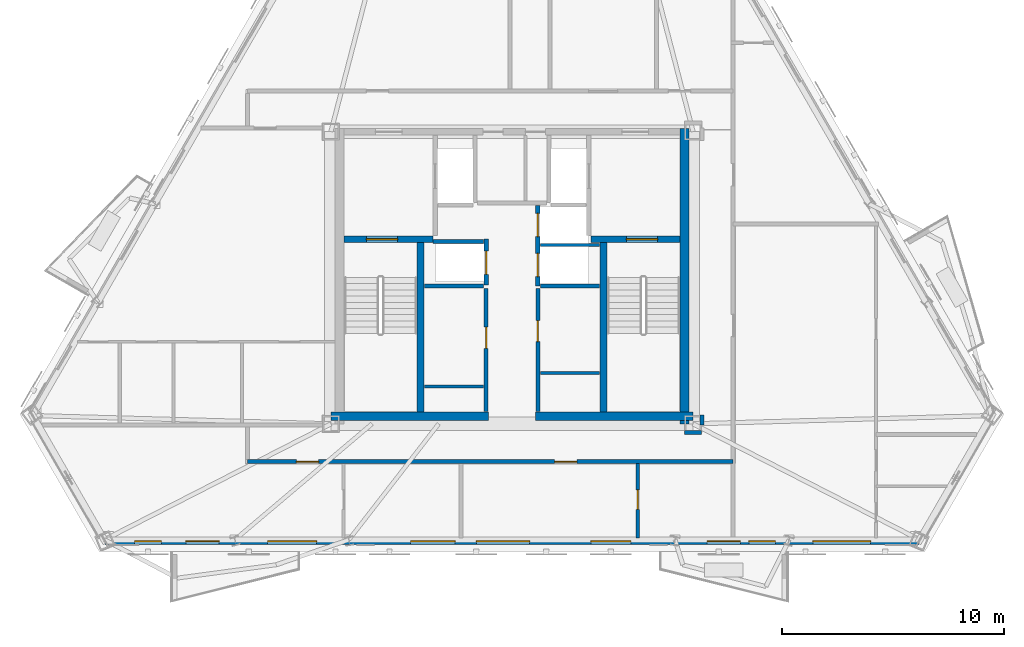
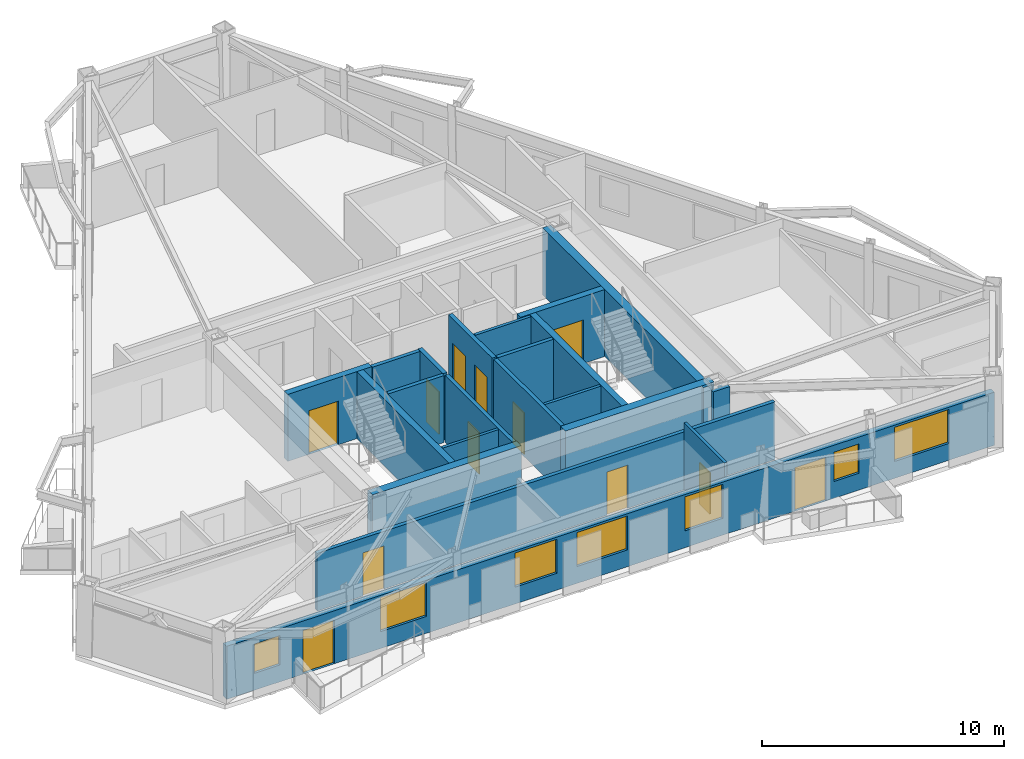
# One storey, part 3 of 9: 22 walls, 12 doors, 7 windows, 19 openings.
"""IFC4 building model written with IfcOpenShell, lengths in metres."""

import ifcopenshell
import ifcopenshell.guid

model = None  # the IFC model being written
_history = None  # IfcOwnerHistory: only IFC2X3 demands one
_inside = {}  # id of a spatial element -> (the spatial element, [elements in it])
_under = {}  # id of a project, library or spatial element -> (it, [spatial elements below it])
_declared = {}  # id of a project -> (the project, [libraries it declares])
_typed = {}  # id of a type object -> (the type object, [elements of that type])
_made_of = {}  # id of a material, layer set ... -> (it, [elements and type objects made of it])


def new_model(schema):
    """Start an empty IFC model of exactly this schema.

    Asked for "IFC4X3", IfcOpenShell would pick the latest addendum, in which some entities
    have other attributes; the version numbers below select the first issue.
    IFC2X3 requires an IfcOwnerHistory on every rooted entity: one is made here for all.
    """
    global model, _history
    if schema == "IFC4X3":
        model = ifcopenshell.file(schema_version=(4, 3, 0, 0))
    else:
        model = ifcopenshell.file(schema=schema)
    _inside.clear()
    _under.clear()
    _declared.clear()
    _typed.clear()
    _made_of.clear()
    _history = None
    if model.schema == "IFC2X3":
        org = make("IfcOrganization", Name="unknown")
        user = make(
            "IfcPersonAndOrganization",
            ThePerson=make("IfcPerson", FamilyName="unknown"),
            TheOrganization=org,
        )
        app = make(
            "IfcApplication",
            ApplicationDeveloper=org,
            Version="unknown",
            ApplicationFullName="unknown",
            ApplicationIdentifier="unknown",
        )
        _history = make(
            "IfcOwnerHistory",
            OwningUser=user,
            OwningApplication=app,
            ChangeAction="ADDED",
            CreationDate=0,
        )
    return model


def make(cls, **values):
    """One entity of the class cls with the attributes given. An attribute that is None is left unset."""
    return model.create_entity(
        cls, **{name: value for name, value in values.items() if value is not None}
    )


def rooted(cls, **values):
    """An entity with a GlobalId (a new one), such as an element, a storey or a relation."""
    return make(cls, GlobalId=ifcopenshell.guid.new(), OwnerHistory=_history, **values)


def si_unit(unit_type, name, prefix=None):
    """IfcSIUnit, for example si_unit("LENGTHUNIT", "METRE", prefix="MILLI")."""
    return make("IfcSIUnit", UnitType=unit_type, Prefix=prefix, Name=name)


def assignment(units):
    """IfcUnitAssignment: the units of a project."""
    return None if units is None else make("IfcUnitAssignment", Units=units)


def point(xyz):
    """IfcCartesianPoint."""
    return None if xyz is None else make("IfcCartesianPoint", Coordinates=xyz)


def direction(xyz):
    """IfcDirection."""
    return None if xyz is None else make("IfcDirection", DirectionRatios=xyz)


def frame(location, z_axis=None, x_axis=None):
    """IfcAxis2Placement3D, a coordinate frame: its origin and axes. An axis left out is left unset."""
    return make(
        "IfcAxis2Placement3D",
        Location=point(location),
        Axis=direction(z_axis),
        RefDirection=direction(x_axis),
    )


def frame_2d(location, x_axis=None):
    """IfcAxis2Placement2D, a coordinate frame in the plane: its origin and x axis."""
    return make(
        "IfcAxis2Placement2D", Location=point(location), RefDirection=direction(x_axis)
    )


def origin():
    """The frame at (0, 0, 0) with its axes left unset."""
    return frame((0.0, 0.0, 0.0))


def place(relative_to, where):
    """IfcLocalPlacement: puts the frame where relative to a parent placement (None: the world)."""
    return make(
        "IfcLocalPlacement", PlacementRelTo=relative_to, RelativePlacement=where
    )


def context(
    kind, dimensions, precision=None, world=None, true_north=None, identifier=None
):
    """IfcGeometricRepresentationContext, for example the 3D "Model" context."""
    return make(
        "IfcGeometricRepresentationContext",
        ContextIdentifier=identifier,
        ContextType=kind,
        CoordinateSpaceDimension=dimensions,
        Precision=precision,
        WorldCoordinateSystem=world,
        TrueNorth=true_north,
    )


def subcontext(parent, identifier, kind, view, scale=None):
    """IfcGeometricRepresentationSubContext, for example "Body" below "Model"."""
    return make(
        "IfcGeometricRepresentationSubContext",
        ContextIdentifier=identifier,
        ContextType=kind,
        ParentContext=parent,
        TargetScale=scale,
        TargetView=view,
    )


def project(units=None, contexts=None):
    """IfcProject with its units and contexts."""
    return rooted(
        "IfcProject",
        Name="project",
        RepresentationContexts=contexts,
        UnitsInContext=assignment(units),
    )


def spatial(cls, under=None, at=None, **own):
    """A site, building, storey or space (cls), placed at a placement, below another one or the project."""
    s = rooted(cls, ObjectPlacement=at, **own)
    if under is not None:
        _under.setdefault(under.id(), (under, []))[1].append(s)
    return s


def profile(cls, at=None, kind="AREA", **sizes):
    """A parametric profile (cls). Its sizes go by their IFC names, for example OverallWidth=200.0."""
    return make(cls, ProfileType=kind, Position=at, **sizes)


def rectangle(**sizes):
    """IfcRectangleProfileDef."""
    return profile("IfcRectangleProfileDef", **sizes)


def extrude(swept, where, along, depth):
    """IfcExtrudedAreaSolid: the profile swept, set in the frame where, extruded along a direction by depth."""
    return make(
        "IfcExtrudedAreaSolid",
        SweptArea=swept,
        Position=where,
        ExtrudedDirection=direction(along),
        Depth=depth,
    )


def shape(context_of_items, identifier, shape_type, items):
    """IfcShapeRepresentation: the items that make up one representation, for example the "Body"."""
    return make(
        "IfcShapeRepresentation",
        ContextOfItems=context_of_items,
        RepresentationIdentifier=identifier,
        RepresentationType=shape_type,
        Items=items,
    )


def material(Name=None, Category=None):
    """IfcMaterial."""
    return make("IfcMaterial", Name=Name, Category=Category)


def layer(
    of_material, thickness, ventilated=None, Name=None, Category=None, Priority=None
):
    """IfcMaterialLayer: one layer of a wall or slab, of a material (None: an air gap)."""
    return make(
        "IfcMaterialLayer",
        Material=of_material,
        LayerThickness=thickness,
        IsVentilated=ventilated,
        Name=Name,
        Category=Category,
        Priority=Priority,
    )


def layer_set(layers, Name=None):
    """IfcMaterialLayerSet."""
    return make("IfcMaterialLayerSet", MaterialLayers=layers, LayerSetName=Name)


def made_of(thing, what):
    """Note that an element or type object is made of a material, layer set ...; save() writes the relation."""
    if what is not None:
        _made_of.setdefault(what.id(), (what, []))[1].append(thing)
    return thing


def type_object(cls, material=None, **own):
    """A type object (cls), such as IfcWallType, which elements share."""
    return made_of(rooted(cls, **own), material)


def element(
    cls,
    number,
    at=None,
    inside=None,
    cuts=None,
    type_object=None,
    material=None,
    context=None,
    identifier="Body",
    shape_type=None,
    held_by="IfcProductDefinitionShape",
    body=None,
    shapes=None,
    **own,
):
    """One element of the class cls, such as IfcWall. Its Tag is "e" and its number.

    at: its placement. inside: the storey or other place that contains it. cuts: it is an
    opening in that element (IfcRelVoidsElement). A single representation is given by context,
    identifier, shape_type and body (its items); several are given by shapes. held_by: the class
    of the entity that holds the representations. save() writes the other relations.
    """
    e = rooted(cls, Tag="e%d" % number, ObjectPlacement=at, **own)
    if body is not None:
        shapes = [shape(context, identifier, shape_type, body)]
    if shapes is not None:
        e.Representation = make(held_by, Representations=shapes)
    if inside is not None:
        _inside.setdefault(inside.id(), (inside, []))[1].append(e)
    if cuts is not None:
        rooted(
            "IfcRelVoidsElement", RelatingBuildingElement=cuts, RelatedOpeningElement=e
        )
    if type_object is not None:
        _typed.setdefault(type_object.id(), (type_object, []))[1].append(e)
    return made_of(e, material)


def fill(opening, filler):
    """IfcRelFillsElement: the door or window that sits in an opening."""
    return rooted(
        "IfcRelFillsElement",
        RelatingOpeningElement=opening,
        RelatedBuildingElement=filler,
    )


def aggregate(whole, parts):
    """IfcRelAggregates: a whole, such as a stair, and the parts it consists of."""
    return rooted("IfcRelAggregates", RelatingObject=whole, RelatedObjects=parts)


def save(model, path):
    """Write the relations noted so far, then the file.

    IfcRelAggregates (storeys below a building ...), IfcRelContainedInSpatialStructure (elements
    in a storey), IfcRelDefinesByType, IfcRelAssociatesMaterial and IfcRelDeclares: one each for
    every whole, place, type object, material and project.
    """
    for whole, parts in _under.values():
        aggregate(whole, parts)
    for where, things in _inside.values():
        rooted(
            "IfcRelContainedInSpatialStructure",
            RelatedElements=things,
            RelatingStructure=where,
        )
    for kind, things in _typed.values():
        rooted("IfcRelDefinesByType", RelatedObjects=things, RelatingType=kind)
    for what, things in _made_of.values():
        rooted("IfcRelAssociatesMaterial", RelatedObjects=things, RelatingMaterial=what)
    for by, libraries in _declared.values():
        rooted("IfcRelDeclares", RelatingContext=by, RelatedDefinitions=libraries)
    model.write(path)


model = new_model("IFC4")

# Units and contexts
model_context = context("Model", 3, precision=1e-05, world=origin(), true_north=direction((0.0, 1.0)))
body_context = subcontext(model_context, "Body", "Model", "MODEL_VIEW")
ifc_project = project(units=[si_unit("LENGTHUNIT", "METRE"), si_unit("AREAUNIT", "SQUARE_METRE"), si_unit("VOLUMEUNIT", "CUBIC_METRE"), si_unit("PLANEANGLEUNIT", "RADIAN"), si_unit("MASSUNIT", "GRAM", prefix="KILO")], contexts=[model_context])

# Site, building, storey
site_placement = place(None, origin())
site = spatial("IfcSite", under=ifc_project, at=site_placement, CompositionType="ELEMENT")
building_placement = place(site_placement, origin())
building = spatial("IfcBuilding", under=site, at=building_placement, Name="Oramaril Tower", CompositionType="ELEMENT")
storey_placement = place(building_placement, frame((0.0, 0.0, 219.89990234375)))
storey = spatial("IfcBuildingStorey", under=building, at=storey_placement, Name="L58", CompositionType="ELEMENT", Elevation=219.89990234375)

# Wall, openings, doors, windows
ifc_material_1 = material(Name="Warm Cream Limestone", Category="masonry")
ifc_layer_1 = layer(ifc_material_1, 0.2900390625)
ifc_layer_set_1 = layer_set([ifc_layer_1], Name="WT-EXT29")
wall_type_1 = type_object("IfcWallType", Name="WT-EXT29", PredefinedType="SOLIDWALL", material=ifc_layer_set_1)
wall_1_placement = place(storey_placement, frame((19.18310546875, 5.718017578125, 0.0), z_axis=(0.0, 0.0, 1.0), x_axis=(1.0, 0.0, 0.0)))
wall_1 = element("IfcWall", 1, at=wall_1_placement, inside=storey, type_object=wall_type_1, Name="L58 Tower Limestone Facade Wall 2M", PredefinedType="SOLIDWALL", context=body_context, shape_type="SweptSolid", body=[
    extrude(rectangle(XDim=36.6337890625, YDim=0.2900390625, at=frame_2d((18.31689453125, 0.0))), origin(), (0.0, 0.0, 1.0), 2.677001953125),
])
opening_1_placement = place(wall_1_placement, frame((3.639404296875, 0.0, 0.0)))
opening_1 = element("IfcOpeningElement", 2, at=opening_1_placement, cuts=wall_1, Name="Opening D-L58-BAL-S1", PredefinedType="OPENING", context=body_context, shape_type="SweptSolid", body=[
    extrude(rectangle(XDim=1.5, YDim=2.199951171875, at=frame_2d((0.75, 1.10009765625))), frame((0.0, 0.14501953125, 0.0), z_axis=(0.0, -1.0, 0.0), x_axis=(1.0, 0.0, 0.0)), (0.0, 0.0, 1.0), 0.2900390625),
])
opening_2_placement = place(wall_1_placement, frame((27.09912109375, 0.0, 0.0)))
opening_2 = element("IfcOpeningElement", 3, at=opening_2_placement, cuts=wall_1, Name="Opening D-L58-BAL-S2", PredefinedType="OPENING", context=body_context, shape_type="SweptSolid", body=[
    extrude(rectangle(XDim=1.5, YDim=2.199951171875, at=frame_2d((0.75, 1.10009765625))), frame((0.0, 0.14501953125, 0.0), z_axis=(0.0, -1.0, 0.0), x_axis=(1.0, 0.0, 0.0)), (0.0, 0.0, 1.0), 0.2900390625),
])
opening_3_placement = place(wall_1_placement, frame((1.333740234375, 0.0, 0.85009765625)))
opening_3 = element("IfcOpeningElement", 4, at=opening_3_placement, cuts=wall_1, Name="Opening WN-09", PredefinedType="OPENING", context=body_context, shape_type="SweptSolid", body=[
    extrude(rectangle(XDim=1.199951171875, YDim=1.47998046875, at=frame_2d((0.60009765625, 0.739990234375))), frame((0.0, 0.14501953125, 0.0), z_axis=(0.0, -1.0, 0.0), x_axis=(1.0, 0.0, 0.0)), (0.0, 0.0, 1.0), 0.2900390625),
])
opening_4_placement = place(wall_1_placement, frame((7.322998046875, 0.0, 0.85009765625)))
opening_4 = element("IfcOpeningElement", 5, at=opening_4_placement, cuts=wall_1, Name="Opening WN-04", PredefinedType="OPENING", context=body_context, shape_type="SweptSolid", body=[
    extrude(rectangle(XDim=2.199951171875, YDim=1.717041015625, at=frame_2d((1.10009765625, 0.8583984375))), frame((0.0, 0.14501953125, 0.0), z_axis=(0.0, -1.0, 0.0), x_axis=(1.0, 0.0, 0.0)), (0.0, 0.0, 1.0), 0.2900390625),
])
opening_5_placement = place(wall_1_placement, frame((13.755126953125, 0.0, 0.85009765625)))
opening_5 = element("IfcOpeningElement", 6, at=opening_5_placement, cuts=wall_1, Name="Opening WN-05", PredefinedType="OPENING", context=body_context, shape_type="SweptSolid", body=[
    extrude(rectangle(XDim=2.0, YDim=1.717041015625, at=frame_2d((1.0, 0.8583984375))), frame((0.0, 0.14501953125, 0.0), z_axis=(0.0, -1.0, 0.0), x_axis=(1.0, 0.0, 0.0)), (0.0, 0.0, 1.0), 0.2900390625),
])
opening_6_placement = place(wall_1_placement, frame((16.714599609375, 0.0, 0.85009765625)))
opening_6 = element("IfcOpeningElement", 7, at=opening_6_placement, cuts=wall_1, Name="Opening WN-03", PredefinedType="OPENING", context=body_context, shape_type="SweptSolid", body=[
    extrude(rectangle(XDim=2.39990234375, YDim=1.717041015625, at=frame_2d((1.199951171875, 0.8583984375))), frame((0.0, 0.14501953125, 0.0), z_axis=(0.0, -1.0, 0.0), x_axis=(1.0, 0.0, 0.0)), (0.0, 0.0, 1.0), 0.2900390625),
])
opening_7_placement = place(wall_1_placement, frame((21.86474609375, 0.0, 0.85009765625)))
opening_7 = element("IfcOpeningElement", 8, at=opening_7_placement, cuts=wall_1, Name="Opening WN-06", PredefinedType="OPENING", context=body_context, shape_type="SweptSolid", body=[
    extrude(rectangle(XDim=1.800048828125, YDim=1.717041015625, at=frame_2d((0.89990234375, 0.8583984375))), frame((0.0, 0.14501953125, 0.0), z_axis=(0.0, -1.0, 0.0), x_axis=(1.0, 0.0, 0.0)), (0.0, 0.0, 1.0), 0.2900390625),
])
opening_8_placement = place(wall_1_placement, frame((28.974853515625, 0.0, 0.85009765625)))
opening_8 = element("IfcOpeningElement", 9, at=opening_8_placement, cuts=wall_1, Name="Opening WN-09", PredefinedType="OPENING", context=body_context, shape_type="SweptSolid", body=[
    extrude(rectangle(XDim=1.199951171875, YDim=1.47998046875, at=frame_2d((0.60009765625, 0.739990234375))), frame((0.0, 0.14501953125, 0.0), z_axis=(0.0, -1.0, 0.0), x_axis=(1.0, 0.0, 0.0)), (0.0, 0.0, 1.0), 0.2900390625),
])
opening_9_placement = place(wall_1_placement, frame((31.861083984375, 0.0, 0.85009765625)))
opening_9 = element("IfcOpeningElement", 10, at=opening_9_placement, cuts=wall_1, Name="Opening WN-02", PredefinedType="OPENING", context=body_context, shape_type="SweptSolid", body=[
    extrude(rectangle(XDim=2.60009765625, YDim=1.717041015625, at=frame_2d((1.300048828125, 0.8583984375))), frame((0.0, 0.14501953125, 0.0), z_axis=(0.0, -1.0, 0.0), x_axis=(1.0, 0.0, 0.0)), (0.0, 0.0, 1.0), 0.2900390625),
])
ifc_material_2 = material(Name="Anodised Aluminium 6063-T6", Category="aluminium")
door_type_1 = type_object("IfcDoorType", Name="DT-BAL", OperationType="NOTDEFINED", PredefinedType="DOOR", material=ifc_material_2)
door_1_placement = place(opening_1_placement, origin())
door_1 = element("IfcDoor", 11, at=door_1_placement, inside=storey, type_object=door_type_1, Name="L58 Balcony Glazed Door L58-BAL-S1", OperationType="SINGLE_SWING_LEFT", OverallHeight=2.199951171875, OverallWidth=1.5, PredefinedType="DOOR", context=body_context, shape_type="SweptSolid", body=[
    extrude(rectangle(XDim=1.5, YDim=2.199951171875, at=frame_2d((0.75, 1.10009765625))), frame((0.0, 0.02490234375, 0.0), z_axis=(0.0, -1.0, 0.0), x_axis=(1.0, 0.0, 0.0)), (0.0, 0.0, 1.0), 0.050048828125),
])
fill(opening_1, door_1)
door_2_placement = place(opening_2_placement, origin())
door_2 = element("IfcDoor", 12, at=door_2_placement, inside=storey, type_object=door_type_1, Name="L58 Balcony Glazed Door L58-BAL-S2", OperationType="SINGLE_SWING_RIGHT", OverallHeight=2.199951171875, OverallWidth=1.5, PredefinedType="DOOR", context=body_context, shape_type="SweptSolid", body=[
    extrude(rectangle(XDim=1.5, YDim=2.199951171875, at=frame_2d((0.75, 1.10009765625))), frame((0.0, 0.02490234375, 0.0), z_axis=(0.0, -1.0, 0.0), x_axis=(1.0, 0.0, 0.0)), (0.0, 0.0, 1.0), 0.050048828125),
])
fill(opening_2, door_2)
ifc_material_3 = material(Name="Coastal Low-E Insulated Glass", Category="glass")
window_type_1 = type_object("IfcWindowType", Name="WNT-02", PartitioningType="SINGLE_PANEL", PredefinedType="WINDOW", material=ifc_material_3)
window_1_placement = place(opening_9_placement, origin())
window_1 = element("IfcWindow", 13, at=window_1_placement, inside=storey, type_object=window_type_1, Name="L58 Chicago Bay Window WN-02", OverallHeight=1.717041015625, OverallWidth=2.60009765625, PartitioningType="SINGLE_PANEL", PredefinedType="WINDOW", context=body_context, shape_type="SweptSolid", body=[
    extrude(rectangle(XDim=2.60009765625, YDim=1.717041015625, at=frame_2d((1.300048828125, 0.8583984375))), frame((0.0, 0.030029296875, 0.0), z_axis=(0.0, -1.0, 0.0), x_axis=(1.0, 0.0, 0.0)), (0.0, 0.0, 1.0), 0.06005859375),
])
fill(opening_9, window_1)
ifc_material_4 = material(Name="Coastal Low-E Insulated Glass", Category="glass")
window_type_2 = type_object("IfcWindowType", Name="WNT-03", PartitioningType="SINGLE_PANEL", PredefinedType="WINDOW", material=ifc_material_4)
window_2_placement = place(opening_6_placement, origin())
window_2 = element("IfcWindow", 14, at=window_2_placement, inside=storey, type_object=window_type_2, Name="L58 Chicago Bay Window WN-03", OverallHeight=1.717041015625, OverallWidth=2.39990234375, PartitioningType="SINGLE_PANEL", PredefinedType="WINDOW", context=body_context, shape_type="SweptSolid", body=[
    extrude(rectangle(XDim=2.39990234375, YDim=1.717041015625, at=frame_2d((1.199951171875, 0.8583984375))), frame((0.0, 0.030029296875, 0.0), z_axis=(0.0, -1.0, 0.0), x_axis=(1.0, 0.0, 0.0)), (0.0, 0.0, 1.0), 0.06005859375),
])
fill(opening_6, window_2)
ifc_material_5 = material(Name="Coastal Low-E Insulated Glass", Category="glass")
window_type_3 = type_object("IfcWindowType", Name="WNT-04", PartitioningType="SINGLE_PANEL", PredefinedType="WINDOW", material=ifc_material_5)
window_3_placement = place(opening_4_placement, origin())
window_3 = element("IfcWindow", 15, at=window_3_placement, inside=storey, type_object=window_type_3, Name="L58 Chicago Bay Window WN-04", OverallHeight=1.717041015625, OverallWidth=2.199951171875, PartitioningType="SINGLE_PANEL", PredefinedType="WINDOW", context=body_context, shape_type="SweptSolid", body=[
    extrude(rectangle(XDim=2.199951171875, YDim=1.717041015625, at=frame_2d((1.10009765625, 0.8583984375))), frame((0.0, 0.030029296875, 0.0), z_axis=(0.0, -1.0, 0.0), x_axis=(1.0, 0.0, 0.0)), (0.0, 0.0, 1.0), 0.06005859375),
])
fill(opening_4, window_3)
ifc_material_6 = material(Name="Coastal Low-E Insulated Glass", Category="glass")
window_type_4 = type_object("IfcWindowType", Name="WNT-05", PartitioningType="SINGLE_PANEL", PredefinedType="WINDOW", material=ifc_material_6)
window_4_placement = place(opening_5_placement, origin())
window_4 = element("IfcWindow", 16, at=window_4_placement, inside=storey, type_object=window_type_4, Name="L58 Chicago Bay Window WN-05", OverallHeight=1.717041015625, OverallWidth=2.0, PartitioningType="SINGLE_PANEL", PredefinedType="WINDOW", context=body_context, shape_type="SweptSolid", body=[
    extrude(rectangle(XDim=2.0, YDim=1.717041015625, at=frame_2d((1.0, 0.8583984375))), frame((0.0, 0.030029296875, 0.0), z_axis=(0.0, -1.0, 0.0), x_axis=(1.0, 0.0, 0.0)), (0.0, 0.0, 1.0), 0.06005859375),
])
fill(opening_5, window_4)
ifc_material_7 = material(Name="Coastal Low-E Insulated Glass", Category="glass")
window_type_5 = type_object("IfcWindowType", Name="WNT-06", PartitioningType="SINGLE_PANEL", PredefinedType="WINDOW", material=ifc_material_7)
window_5_placement = place(opening_7_placement, origin())
window_5 = element("IfcWindow", 17, at=window_5_placement, inside=storey, type_object=window_type_5, Name="L58 Chicago Bay Window WN-06", OverallHeight=1.717041015625, OverallWidth=1.800048828125, PartitioningType="SINGLE_PANEL", PredefinedType="WINDOW", context=body_context, shape_type="SweptSolid", body=[
    extrude(rectangle(XDim=1.800048828125, YDim=1.717041015625, at=frame_2d((0.89990234375, 0.8583984375))), frame((0.0, 0.030029296875, 0.0), z_axis=(0.0, -1.0, 0.0), x_axis=(1.0, 0.0, 0.0)), (0.0, 0.0, 1.0), 0.06005859375),
])
fill(opening_7, window_5)
ifc_material_8 = material(Name="Coastal Low-E Insulated Glass", Category="glass")
window_type_6 = type_object("IfcWindowType", Name="WNT-09", PartitioningType="SINGLE_PANEL", PredefinedType="WINDOW", material=ifc_material_8)
window_6_placement = place(opening_3_placement, origin())
window_6 = element("IfcWindow", 18, at=window_6_placement, inside=storey, type_object=window_type_6, Name="L58 Chicago Bay Window WN-09", OverallHeight=1.47998046875, OverallWidth=1.199951171875, PartitioningType="SINGLE_PANEL", PredefinedType="WINDOW", context=body_context, shape_type="SweptSolid", body=[
    extrude(rectangle(XDim=1.199951171875, YDim=1.47998046875, at=frame_2d((0.60009765625, 0.739990234375))), frame((0.0, 0.030029296875, 0.0), z_axis=(0.0, -1.0, 0.0), x_axis=(1.0, 0.0, 0.0)), (0.0, 0.0, 1.0), 0.06005859375),
])
fill(opening_3, window_6)
window_7_placement = place(opening_8_placement, origin())
window_7 = element("IfcWindow", 19, at=window_7_placement, inside=storey, type_object=window_type_6, Name="L58 Chicago Bay Window WN-09", OverallHeight=1.47998046875, OverallWidth=1.199951171875, PartitioningType="SINGLE_PANEL", PredefinedType="WINDOW", context=body_context, shape_type="SweptSolid", body=[
    extrude(rectangle(XDim=1.199951171875, YDim=1.47998046875, at=frame_2d((0.60009765625, 0.739990234375))), frame((0.0, 0.030029296875, 0.0), z_axis=(0.0, -1.0, 0.0), x_axis=(1.0, 0.0, 0.0)), (0.0, 0.0, 1.0), 0.06005859375),
])
fill(opening_8, window_7)

# Walls
ifc_material_9 = material(Name="Acoustic Gypsum Board Partition")
ifc_layer_2 = layer(ifc_material_9, 0.139892578125)
ifc_layer_set_2 = layer_set([ifc_layer_2], Name="WT-PT14")
wall_type_2 = type_object("IfcWallType", Name="WT-PT14", PredefinedType="PARTITIONING", material=ifc_layer_set_2)
for number, where, z_axis, x_axis, name in (
    (20, (33.56005859375, 12.679931640625, 0.0), (0.0, 0.0, 1.0), (1.0, 0.0, 0.0), "L58 Freed Shaft South Closure"),
    (21, (38.780029296875, 19.050048828125, 0.0), (0.0, 0.0, 1.0), (1.0, 0.0, 0.0), "L58 High-Rise Lift H2-H3 Divider"),
    (22, (38.780029296875, 13.280029296875, 0.0), (0.0, 0.0, 1.0), (1.0, 0.0, 0.0), "L58 Freed Shaft South Closure"),
):
    element("IfcWall", number, at=place(storey_placement, frame(where, z_axis=z_axis, x_axis=x_axis)), inside=storey, type_object=wall_type_2, Name=name, PredefinedType="PARTITIONING", context=body_context, shape_type="SweptSolid", body=[
        extrude(rectangle(XDim=2.659912109375, YDim=0.139892578125, at=frame_2d((1.330078125, 0.0))), origin(), (0.0, 0.0, 1.0), 3.380126953125),
    ])

# Wall, opening, door
wall_2_placement = place(storey_placement, frame((43.159912109375, 5.8671875, 0.0), z_axis=(0.0, 0.0, 1.0), x_axis=(0.0, 1.0, 0.0)))
wall_2 = element("IfcWall", 23, at=wall_2_placement, inside=storey, type_object=wall_type_2, Name="L58 Interior Partition PT-14", PredefinedType="PARTITIONING", context=body_context, shape_type="SweptSolid", body=[
    extrude(rectangle(XDim=3.3388671875, YDim=0.139892578125, at=frame_2d((1.66943359375, 0.0))), origin(), (0.0, 0.0, 1.0), 3.380126953125),
])
opening_10_placement = place(wall_2_placement, frame((1.27685546875, 0.0, 0.0)))
opening_10 = element("IfcOpeningElement", 24, at=opening_10_placement, cuts=wall_2, Name="Opening D-L58-15", PredefinedType="OPENING", context=body_context, shape_type="SweptSolid", body=[
    extrude(rectangle(XDim=0.8798828125, YDim=2.080078125, at=frame_2d((0.43994140625, 1.0400390625))), frame((0.0, 0.06982421875, 0.0), z_axis=(0.0, -1.0, 0.0), x_axis=(1.0, 0.0, 0.0)), (0.0, 0.0, 1.0), 0.139892578125),
])
ifc_material_10 = material(Name="FSC Brazilian Freijo Hardwood", Category="wood")
door_type_2 = type_object("IfcDoorType", Name="DT-BATH", OperationType="NOTDEFINED", PredefinedType="DOOR", material=ifc_material_10)
door_3_placement = place(opening_10_placement, origin())
door_3 = element("IfcDoor", 25, at=door_3_placement, inside=storey, type_object=door_type_2, Name="L58 Flat L58-U2 Bathroom Door D-L58-15", OperationType="SINGLE_SWING_LEFT", OverallHeight=2.080078125, OverallWidth=0.8798828125, PredefinedType="DOOR", context=body_context, shape_type="SweptSolid", body=[
    extrude(rectangle(XDim=0.8798828125, YDim=2.080078125, at=frame_2d((0.43994140625, 1.0400390625))), frame((0.0, 0.02490234375, 0.0), z_axis=(0.0, -1.0, 0.0), x_axis=(1.0, 0.0, 0.0)), (0.0, 0.0, 1.0), 0.050048828125),
])
fill(opening_10, door_3)

# Walls
ifc_material_11 = material(Name="Autoclaved Cellular Concrete Block", Category="concrete")
ifc_layer_3 = layer(ifc_material_11, 0.179931640625)
ifc_layer_set_3 = layer_set([ifc_layer_3], Name="WT-PT18")
wall_type_3 = type_object("IfcWallType", Name="WT-PT18", PredefinedType="PARTITIONING", material=ifc_layer_set_3)
wall_3_placement = place(storey_placement, frame((33.949951171875, 19.199951171875, 0.0), z_axis=(0.0, 0.0, 1.0), x_axis=(1.0, 0.0, 0.0)))
element("IfcWall", 26, at=wall_3_placement, inside=storey, type_object=wall_type_3, Name="L58 High-Rise Lift H1 North Shaft Wall", PredefinedType="PARTITIONING", context=body_context, shape_type="SweptSolid", body=[
    extrude(rectangle(XDim=2.27001953125, YDim=0.179931640625, at=frame_2d((1.135009765625, 0.0))), origin(), (0.0, 0.0, 1.0), 3.380126953125),
])
wall_4_placement = place(storey_placement, frame((33.56005859375, 17.199951171875, 0.0), z_axis=(0.0, 0.0, 1.0), x_axis=(1.0, 0.0, 0.0)))
element("IfcWall", 27, at=wall_4_placement, inside=storey, type_object=wall_type_3, Name="L58 High-Rise Lift H1 South Wall", PredefinedType="PARTITIONING", context=body_context, shape_type="SweptSolid", body=[
    extrude(rectangle(XDim=2.659912109375, YDim=0.179931640625, at=frame_2d((1.330078125, 0.0))), origin(), (0.0, 0.0, 1.0), 3.380126953125),
])

# Wall, opening, door
wall_5_placement = place(storey_placement, frame((36.340087890625, 11.550048828125, 0.0), z_axis=(0.0, 0.0, 1.0), x_axis=(0.0, 1.0, 0.0)))
wall_5 = element("IfcWall", 28, at=wall_5_placement, inside=storey, type_object=wall_type_3, Name="L58 Freed Shaft Study East Wall", PredefinedType="PARTITIONING", context=body_context, shape_type="SweptSolid", body=[
    extrude(rectangle(XDim=5.550048828125, YDim=0.179931640625, at=frame_2d((2.77490234375, 0.0))), origin(), (0.0, 0.0, 1.0), 3.380126953125),
])
opening_11_placement = place(wall_5_placement, frame((2.85009765625, 0.0, 0.0)))
opening_11 = element("IfcOpeningElement", 29, at=opening_11_placement, cuts=wall_5, Name="Opening D-L58-FL1", PredefinedType="OPENING", context=body_context, shape_type="SweptSolid", body=[
    extrude(rectangle(XDim=0.949951171875, YDim=2.10009765625, at=frame_2d((0.47509765625, 1.050048828125))), frame((0.0, 0.08984375, 0.0), z_axis=(0.0, -1.0, 0.0), x_axis=(1.0, 0.0, 0.0)), (0.0, 0.0, 1.0), 0.179931640625),
])
ifc_material_12 = material(Name="FSC Brazilian Freijo Hardwood", Category="wood")
door_type_3 = type_object("IfcDoorType", Name="DT-STDY", OperationType="NOTDEFINED", PredefinedType="DOOR", material=ifc_material_12)
door_4_placement = place(opening_11_placement, origin())
door_4 = element("IfcDoor", 30, at=door_4_placement, inside=storey, type_object=door_type_3, Name="L58 L58 Residents Library Study Door", OperationType="SINGLE_SWING_LEFT", OverallHeight=2.10009765625, OverallWidth=0.949951171875, PredefinedType="DOOR", context=body_context, shape_type="SweptSolid", body=[
    extrude(rectangle(XDim=0.949951171875, YDim=2.10009765625, at=frame_2d((0.47509765625, 1.050048828125))), frame((0.0, 0.02490234375, 0.0), z_axis=(0.0, -1.0, 0.0), x_axis=(1.0, 0.0, 0.0)), (0.0, 0.0, 1.0), 0.050048828125),
])
fill(opening_11, door_4)

# Wall
wall_6_placement = place(storey_placement, frame((38.780029296875, 17.199951171875, 0.0), z_axis=(0.0, 0.0, 1.0), x_axis=(1.0, 0.0, 0.0)))
element("IfcWall", 31, at=wall_6_placement, inside=storey, type_object=wall_type_3, Name="L58 High-Rise Lift H2 South Wall", PredefinedType="PARTITIONING", context=body_context, shape_type="SweptSolid", body=[
    extrude(rectangle(XDim=2.659912109375, YDim=0.179931640625, at=frame_2d((1.330078125, 0.0))), origin(), (0.0, 0.0, 1.0), 3.380126953125),
])

# Wall, opening, door
wall_7_placement = place(storey_placement, frame((38.659912109375, 11.550048828125, 0.0), z_axis=(0.0, 0.0, 1.0), x_axis=(0.0, 1.0, 0.0)))
wall_7 = element("IfcWall", 32, at=wall_7_placement, inside=storey, type_object=wall_type_3, Name="L58 Freed Shaft Alcove West Wall", PredefinedType="PARTITIONING", context=body_context, shape_type="SweptSolid", body=[
    extrude(rectangle(XDim=5.550048828125, YDim=0.179931640625, at=frame_2d((2.77490234375, 0.0))), origin(), (0.0, 0.0, 1.0), 3.380126953125),
])
opening_12_placement = place(wall_7_placement, frame((3.14990234375, 0.0, 0.0)))
opening_12 = element("IfcOpeningElement", 33, at=opening_12_placement, cuts=wall_7, Name="Opening D-L58-FM1", PredefinedType="OPENING", context=body_context, shape_type="SweptSolid", body=[
    extrude(rectangle(XDim=0.949951171875, YDim=2.10009765625, at=frame_2d((0.47509765625, 1.050048828125))), frame((0.0, 0.08984375, 0.0), z_axis=(0.0, -1.0, 0.0), x_axis=(1.0, 0.0, 0.0)), (0.0, 0.0, 1.0), 0.179931640625),
])
door_5_placement = place(opening_12_placement, origin())
door_5 = element("IfcDoor", 34, at=door_5_placement, inside=storey, type_object=door_type_3, Name="L58 L58 Sky Consulting Office Door", OperationType="SINGLE_SWING_RIGHT", OverallHeight=2.10009765625, OverallWidth=0.949951171875, PredefinedType="DOOR", context=body_context, shape_type="SweptSolid", body=[
    extrude(rectangle(XDim=0.949951171875, YDim=2.10009765625, at=frame_2d((0.47509765625, 1.050048828125))), frame((0.0, 0.02490234375, 0.0), z_axis=(0.0, -1.0, 0.0), x_axis=(1.0, 0.0, 0.0)), (0.0, 0.0, 1.0), 0.050048828125),
])
fill(opening_12, door_5)

# Wall, openings, doors
wall_8_placement = place(storey_placement, frame((25.60009765625, 9.300048828125, 0.0), z_axis=(0.0, 0.0, 1.0), x_axis=(1.0, 0.0, 0.0)))
wall_8 = element("IfcWall", 35, at=wall_8_placement, inside=storey, type_object=wall_type_3, Name="L58 Interior Partition PT-18", PredefinedType="PARTITIONING", context=body_context, shape_type="SweptSolid", body=[
    extrude(rectangle(XDim=21.849853515625, YDim=0.179931640625, at=frame_2d((10.9248046875, 0.0))), origin(), (0.0, 0.0, 1.0), 2.9130859375),
])
opening_13_placement = place(wall_8_placement, frame((2.193359375, 0.0, 0.0)))
opening_13 = element("IfcOpeningElement", 36, at=opening_13_placement, cuts=wall_8, Name="Opening D-L58-01", PredefinedType="OPENING", context=body_context, shape_type="SweptSolid", body=[
    extrude(rectangle(XDim=1.0, YDim=2.179931640625, at=frame_2d((0.5, 1.08984375))), frame((0.0, 0.08984375, 0.0), z_axis=(0.0, -1.0, 0.0), x_axis=(1.0, 0.0, 0.0)), (0.0, 0.0, 1.0), 0.179931640625),
])
opening_14_placement = place(wall_8_placement, frame((13.816650390625, 0.0, 0.0)))
opening_14 = element("IfcOpeningElement", 37, at=opening_14_placement, cuts=wall_8, Name="Opening D-L58-02", PredefinedType="OPENING", context=body_context, shape_type="SweptSolid", body=[
    extrude(rectangle(XDim=1.0, YDim=2.179931640625, at=frame_2d((0.5, 1.08984375))), frame((0.0, 0.08984375, 0.0), z_axis=(0.0, -1.0, 0.0), x_axis=(1.0, 0.0, 0.0)), (0.0, 0.0, 1.0), 0.179931640625),
])
ifc_material_13 = material(Name="FSC Brazilian Freijo Hardwood", Category="wood")
door_type_4 = type_object("IfcDoorType", Name="DT-APT", OperationType="NOTDEFINED", PredefinedType="DOOR", material=ifc_material_13)
door_6_placement = place(opening_13_placement, origin())
door_6 = element("IfcDoor", 38, at=door_6_placement, inside=storey, type_object=door_type_4, Name="L58 Flat L58-U1 Kitchen and Studio Apartment Door D-L58-01", OperationType="SINGLE_SWING_LEFT", OverallHeight=2.179931640625, OverallWidth=1.0, PredefinedType="DOOR", context=body_context, shape_type="SweptSolid", body=[
    extrude(rectangle(XDim=1.0, YDim=2.179931640625, at=frame_2d((0.5, 1.08984375))), frame((0.0, 0.02490234375, 0.0), z_axis=(0.0, -1.0, 0.0), x_axis=(1.0, 0.0, 0.0)), (0.0, 0.0, 1.0), 0.050048828125),
])
fill(opening_13, door_6)
door_7_placement = place(opening_14_placement, origin())
door_7 = element("IfcDoor", 39, at=door_7_placement, inside=storey, type_object=door_type_4, Name="L58 Flat L58-U2 Kitchen and Studio Apartment Door D-L58-02", OperationType="SINGLE_SWING_RIGHT", OverallHeight=2.179931640625, OverallWidth=1.0, PredefinedType="DOOR", context=body_context, shape_type="SweptSolid", body=[
    extrude(rectangle(XDim=1.0, YDim=2.179931640625, at=frame_2d((0.5, 1.08984375))), frame((0.0, 0.02490234375, 0.0), z_axis=(0.0, -1.0, 0.0), x_axis=(1.0, 0.0, 0.0)), (0.0, 0.0, 1.0), 0.050048828125),
])
fill(opening_14, door_7)

# Walls
wall_9_placement = place(storey_placement, frame((45.260009765625, 10.610107421875, 0.0), z_axis=(0.0, 0.0, 1.0), x_axis=(1.0, 0.0, 0.0)))
element("IfcWall", 40, at=wall_9_placement, inside=storey, type_object=wall_type_3, Name="L58 Interior Partition PT-18", PredefinedType="PARTITIONING", context=body_context, shape_type="SweptSolid", body=[
    extrude(rectangle(XDim=0.780029296875, YDim=0.179931640625, at=frame_2d((0.39013671875, 0.0))), origin(), (0.0, 0.0, 1.0), 3.380126953125),
])
wall_10_placement = place(storey_placement, frame((46.050048828125, 10.949951171875, 0.0), z_axis=(0.0, 0.0, 1.0), x_axis=(0.0, 1.0, 0.0)))
element("IfcWall", 41, at=wall_10_placement, inside=storey, type_object=wall_type_3, Name="L58 Interior Partition PT-18", PredefinedType="PARTITIONING", context=body_context, shape_type="SweptSolid", body=[
    extrude(rectangle(XDim=0.445068359375, YDim=0.179931640625, at=frame_2d((0.22265625, 0.0))), origin(), (0.0, 0.0, 1.0), 2.9130859375),
])

# Wall, opening, door
ifc_material_14 = material(Name="Concrete C50/60", Category="concrete")
ifc_layer_4 = layer(ifc_material_14, 0.300048828125)
ifc_layer_set_4 = layer_set([ifc_layer_4], Name="WT-SH30")
wall_type_4 = type_object("IfcWallType", Name="WT-SH30", PredefinedType="SHEAR", material=ifc_layer_set_4)
wall_11_placement = place(storey_placement, frame((29.93994140625, 19.31005859375, 0.0), z_axis=(0.0, 0.0, 1.0), x_axis=(1.0, 0.0, 0.0)))
wall_11 = element("IfcWall", 42, at=wall_11_placement, inside=storey, type_object=wall_type_4, Name="L58 Core Shear Wall CW-ST1N", PredefinedType="SHEAR", context=body_context, shape_type="SweptSolid", body=[
    extrude(rectangle(XDim=4.010009765625, YDim=0.300048828125, at=frame_2d((2.0048828125, 0.0))), origin(), (0.0, 0.0, 1.0), 3.380126953125),
])
opening_15_placement = place(wall_11_placement, frame((1.010009765625, 0.0, 0.0)))
opening_15 = element("IfcOpeningElement", 43, at=opening_15_placement, cuts=wall_11, Name="Opening D-L58-ST1", PredefinedType="OPENING", context=body_context, shape_type="SweptSolid", body=[
    extrude(rectangle(XDim=1.39990234375, YDim=2.199951171875, at=frame_2d((0.699951171875, 1.10009765625))), frame((0.0, 0.14990234375, 0.0), z_axis=(0.0, -1.0, 0.0), x_axis=(1.0, 0.0, 0.0)), (0.0, 0.0, 1.0), 0.300048828125),
])
ifc_material_15 = material(Name="Painted Galvanised Steel", Category="steel")
door_type_5 = type_object("IfcDoorType", Name="DT-ST", OperationType="NOTDEFINED", PredefinedType="DOOR", material=ifc_material_15)
door_8_placement = place(opening_15_placement, origin())
door_8 = element("IfcDoor", 44, at=door_8_placement, inside=storey, type_object=door_type_5, Name="L58 Protected Stair ST-1 Fire Door", OperationType="SINGLE_SWING_LEFT", OverallHeight=2.199951171875, OverallWidth=1.39990234375, PredefinedType="DOOR", context=body_context, shape_type="SweptSolid", body=[
    extrude(rectangle(XDim=1.39990234375, YDim=2.199951171875, at=frame_2d((0.699951171875, 1.10009765625))), frame((0.0, 0.02490234375, 0.0), z_axis=(0.0, -1.0, 0.0), x_axis=(1.0, 0.0, 0.0)), (0.0, 0.0, 1.0), 0.050048828125),
])
fill(opening_15, door_8)

wall_12_placement = place(storey_placement, frame((41.050048828125, 19.31005859375, 0.0), z_axis=(0.0, 0.0, 1.0), x_axis=(1.0, 0.0, 0.0)))
wall_12 = element("IfcWall", 45, at=wall_12_placement, inside=storey, type_object=wall_type_4, Name="L58 Core Shear Wall CW-ST2N", PredefinedType="SHEAR", context=body_context, shape_type="SweptSolid", body=[
    extrude(rectangle(XDim=4.010009765625, YDim=0.300048828125, at=frame_2d((2.0048828125, 0.0))), origin(), (0.0, 0.0, 1.0), 3.380126953125),
])
opening_16_placement = place(wall_12_placement, frame((1.60009765625, 0.0, 0.0)))
opening_16 = element("IfcOpeningElement", 46, at=opening_16_placement, cuts=wall_12, Name="Opening D-L58-ST2", PredefinedType="OPENING", context=body_context, shape_type="SweptSolid", body=[
    extrude(rectangle(XDim=1.39990234375, YDim=2.199951171875, at=frame_2d((0.699951171875, 1.10009765625))), frame((0.0, 0.14990234375, 0.0), z_axis=(0.0, -1.0, 0.0), x_axis=(1.0, 0.0, 0.0)), (0.0, 0.0, 1.0), 0.300048828125),
])
door_9_placement = place(opening_16_placement, origin())
door_9 = element("IfcDoor", 47, at=door_9_placement, inside=storey, type_object=door_type_5, Name="L58 Protected Stair ST-2 Fire Door", OperationType="SINGLE_SWING_RIGHT", OverallHeight=2.199951171875, OverallWidth=1.39990234375, PredefinedType="DOOR", context=body_context, shape_type="SweptSolid", body=[
    extrude(rectangle(XDim=1.39990234375, YDim=2.199951171875, at=frame_2d((0.699951171875, 1.10009765625))), frame((0.0, 0.02490234375, 0.0), z_axis=(0.0, -1.0, 0.0), x_axis=(1.0, 0.0, 0.0)), (0.0, 0.0, 1.0), 0.050048828125),
])
fill(opening_16, door_9)

# Walls
for number, where, z_axis, x_axis, name in (
    (48, (33.3798828125, 11.5400390625, 0.0), (0.0, 0.0, 1.0), (0.0, 1.0, 0.0), "L58 Core Shear Wall CW-ST1E"),
    (49, (41.6201171875, 11.5400390625, 0.0), (0.0, 0.0, 1.0), (0.0, 1.0, 0.0), "L58 Core Shear Wall CW-ST2W"),
):
    element("IfcWall", number, at=place(storey_placement, frame(where, z_axis=z_axis, x_axis=x_axis)), inside=storey, type_object=wall_type_4, Name=name, PredefinedType="SHEAR", context=body_context, shape_type="SweptSolid", body=[
        extrude(rectangle(XDim=7.619873046875, YDim=0.300048828125, at=frame_2d((3.81005859375, 0.0))), origin(), (0.0, 0.0, 1.0), 3.380126953125),
    ])
ifc_material_16 = material(Name="Concrete C50/60", Category="concrete")
ifc_layer_5 = layer(ifc_material_16, 0.39990234375)
ifc_layer_set_5 = layer_set([ifc_layer_5], Name="WT-SH40")
wall_type_5 = type_object("IfcWallType", Name="WT-SH40", PredefinedType="SHEAR", material=ifc_layer_set_5)
wall_13_placement = place(storey_placement, frame((45.260009765625, 11.0, 0.0), z_axis=(0.0, 0.0, 1.0), x_axis=(0.0, 1.0, 0.0)))
element("IfcWall", 50, at=wall_13_placement, inside=storey, type_object=wall_type_5, Name="L58 Core Shear Wall CW-E", PredefinedType="SHEAR", context=body_context, shape_type="SweptSolid", body=[
    extrude(rectangle(XDim=13.300048828125, YDim=0.39990234375, at=frame_2d((6.64990234375, 0.0))), origin(), (0.0, 0.0, 1.0), 3.380126953125),
])
for number, where, z_axis, x_axis, name in (
    (51, (29.35009765625, 11.340087890625, 0.0), (0.0, 0.0, 1.0), (1.0, 0.0, 0.0), "L58 Core Shear Wall CW-SW"),
    (52, (38.550048828125, 11.340087890625, 0.0), (0.0, 0.0, 1.0), (1.0, 0.0, 0.0), "L58 Core Shear Wall CW-SE"),
):
    element("IfcWall", number, at=place(storey_placement, frame(where, z_axis=z_axis, x_axis=x_axis)), inside=storey, type_object=wall_type_5, Name=name, PredefinedType="SHEAR", context=body_context, shape_type="SweptSolid", body=[
        extrude(rectangle(XDim=7.099853515625, YDim=0.39990234375, at=frame_2d((3.5498046875, 0.0))), origin(), (0.0, 0.0, 1.0), 3.380126953125),
    ])

# Wall, opening, door
ifc_material_17 = material(Name="Autoclaved Cellular Concrete Block", Category="concrete")
ifc_layer_6 = layer(ifc_material_17, 0.199951171875)
ifc_layer_set_6 = layer_set([ifc_layer_6], Name="WT-SHF20")
wall_type_6 = type_object("IfcWallType", Name="WT-SHF20", PredefinedType="PARTITIONING", material=ifc_layer_set_6)
wall_14_placement = place(storey_placement, frame((36.340087890625, 17.25, 0.0), z_axis=(0.0, 0.0, 1.0), x_axis=(0.0, 1.0, 0.0)))
wall_14 = element("IfcWall", 53, at=wall_14_placement, inside=storey, type_object=wall_type_6, Name="L58 High-Rise Lift H1 Front Wall", PredefinedType="PARTITIONING", context=body_context, shape_type="SweptSolid", body=[
    extrude(rectangle(XDim=2.070068359375, YDim=0.199951171875, at=frame_2d((1.03515625, 0.0))), origin(), (0.0, 0.0, 1.0), 3.380126953125),
])
opening_17_placement = place(wall_14_placement, frame((0.47509765625, 0.0, 0.0)))
opening_17 = element("IfcOpeningElement", 54, at=opening_17_placement, cuts=wall_14, Name="Opening LD-L58-LP-H1", PredefinedType="OPENING", context=body_context, shape_type="SweptSolid", body=[
    extrude(rectangle(XDim=1.050048828125, YDim=2.14990234375, at=frame_2d((0.52490234375, 1.074951171875))), frame((0.0, 0.10009765625, 0.0), z_axis=(0.0, -1.0, 0.0), x_axis=(1.0, 0.0, 0.0)), (0.0, 0.0, 1.0), 0.199951171875),
])
ifc_material_18 = material(Name="Stainless Steel 316L", Category="steel")
door_type_6 = type_object("IfcDoorType", Name="DT-LD2", OperationType="NOTDEFINED", PredefinedType="DOOR", material=ifc_material_18)
door_10_placement = place(opening_17_placement, origin())
door_10 = element("IfcDoor", 55, at=door_10_placement, inside=storey, type_object=door_type_6, Name="L58 Lift LP-H1 Sliding Landing Door", OperationType="SLIDING_TO_LEFT", OverallHeight=2.14990234375, OverallWidth=1.050048828125, PredefinedType="DOOR", context=body_context, shape_type="SweptSolid", body=[
    extrude(rectangle(XDim=1.050048828125, YDim=2.14990234375, at=frame_2d((0.52490234375, 1.074951171875))), frame((0.0, 0.02490234375, 0.0), z_axis=(0.0, -1.0, 0.0), x_axis=(1.0, 0.0, 0.0)), (0.0, 0.0, 1.0), 0.050048828125),
])
fill(opening_17, door_10)

# Wall, openings, doors
wall_15_placement = place(storey_placement, frame((38.659912109375, 17.199951171875, 0.0), z_axis=(0.0, 0.0, 1.0), x_axis=(0.0, 1.0, 0.0)))
wall_15 = element("IfcWall", 56, at=wall_15_placement, inside=storey, type_object=wall_type_6, Name="L58 High-Rise Lift H2-H3 Front Wall", PredefinedType="PARTITIONING", context=body_context, shape_type="SweptSolid", body=[
    extrude(rectangle(XDim=3.6201171875, YDim=0.199951171875, at=frame_2d((1.81005859375, 0.0))), origin(), (0.0, 0.0, 1.0), 3.380126953125),
])
opening_18_placement = place(wall_15_placement, frame((0.425048828125, 0.0, 0.0)))
opening_18 = element("IfcOpeningElement", 57, at=opening_18_placement, cuts=wall_15, Name="Opening LD-L58-LP-H2", PredefinedType="OPENING", context=body_context, shape_type="SweptSolid", body=[
    extrude(rectangle(XDim=1.050048828125, YDim=2.14990234375, at=frame_2d((0.52490234375, 1.074951171875))), frame((0.0, 0.10009765625, 0.0), z_axis=(0.0, -1.0, 0.0), x_axis=(1.0, 0.0, 0.0)), (0.0, 0.0, 1.0), 0.199951171875),
])
opening_19_placement = place(wall_15_placement, frame((2.22509765625, 0.0, 0.0)))
opening_19 = element("IfcOpeningElement", 58, at=opening_19_placement, cuts=wall_15, Name="Opening LD-L58-LP-H3", PredefinedType="OPENING", context=body_context, shape_type="SweptSolid", body=[
    extrude(rectangle(XDim=1.050048828125, YDim=2.14990234375, at=frame_2d((0.52490234375, 1.074951171875))), frame((0.0, 0.10009765625, 0.0), z_axis=(0.0, -1.0, 0.0), x_axis=(1.0, 0.0, 0.0)), (0.0, 0.0, 1.0), 0.199951171875),
])
door_11_placement = place(opening_18_placement, origin())
door_11 = element("IfcDoor", 59, at=door_11_placement, inside=storey, type_object=door_type_6, Name="L58 Lift LP-H2 Sliding Landing Door", OperationType="SLIDING_TO_RIGHT", OverallHeight=2.14990234375, OverallWidth=1.050048828125, PredefinedType="DOOR", context=body_context, shape_type="SweptSolid", body=[
    extrude(rectangle(XDim=1.050048828125, YDim=2.14990234375, at=frame_2d((0.52490234375, 1.074951171875))), frame((0.0, 0.02490234375, 0.0), z_axis=(0.0, -1.0, 0.0), x_axis=(1.0, 0.0, 0.0)), (0.0, 0.0, 1.0), 0.050048828125),
])
fill(opening_18, door_11)
door_12_placement = place(opening_19_placement, origin())
door_12 = element("IfcDoor", 60, at=door_12_placement, inside=storey, type_object=door_type_6, Name="L58 Lift LP-H3 Sliding Landing Door", OperationType="SLIDING_TO_LEFT", OverallHeight=2.14990234375, OverallWidth=1.050048828125, PredefinedType="DOOR", context=body_context, shape_type="SweptSolid", body=[
    extrude(rectangle(XDim=1.050048828125, YDim=2.14990234375, at=frame_2d((0.52490234375, 1.074951171875))), frame((0.0, 0.02490234375, 0.0), z_axis=(0.0, -1.0, 0.0), x_axis=(1.0, 0.0, 0.0)), (0.0, 0.0, 1.0), 0.050048828125),
])
fill(opening_19, door_12)

save(model, "model.ifc")
